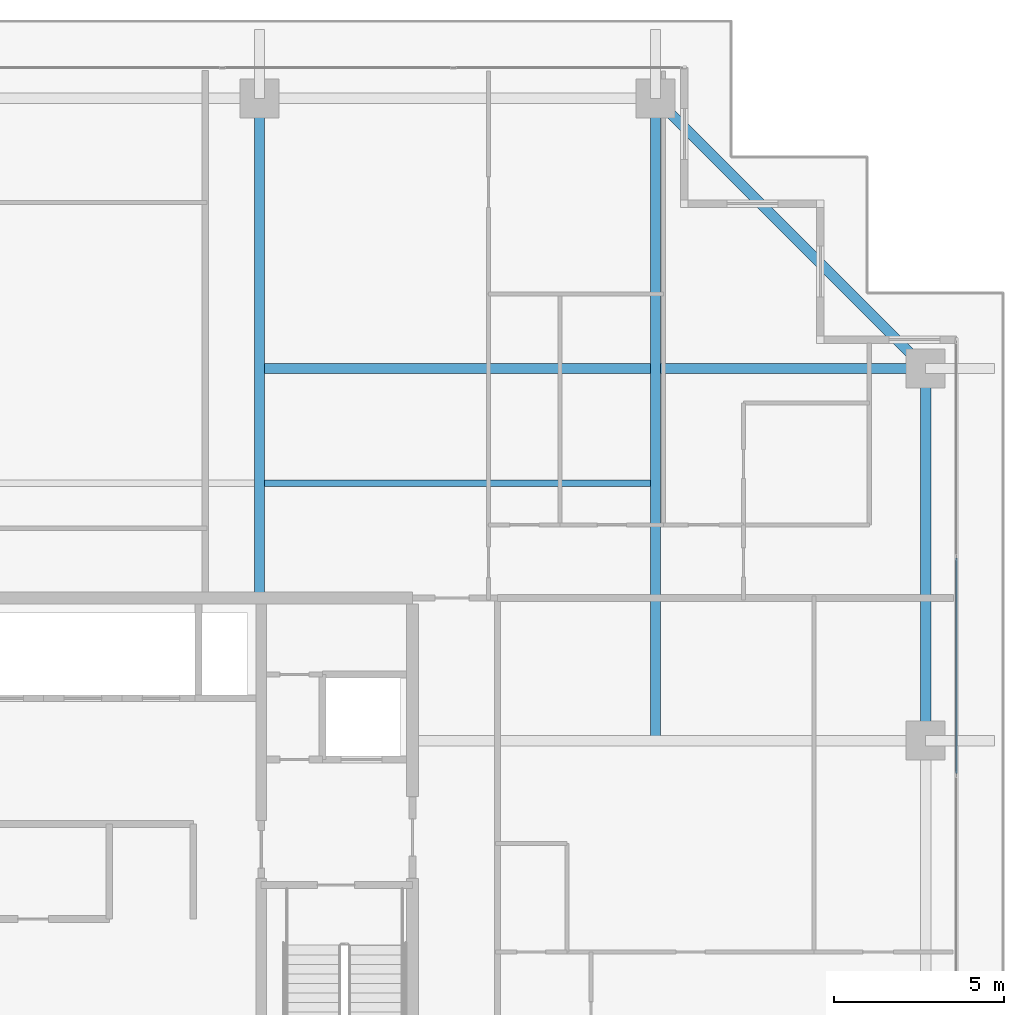
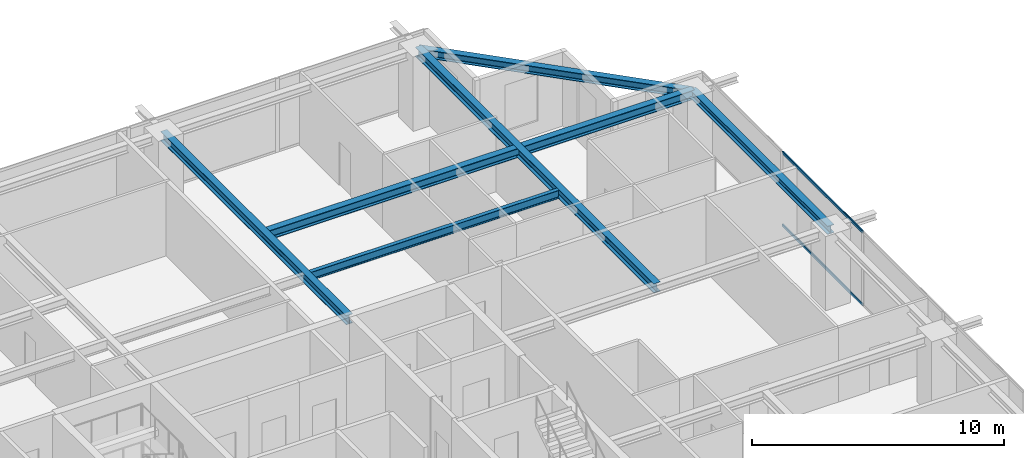
# One storey, part 20 of 35: 6 beams, 2 members, 1 element without a shape of its own.
"""IFC4 building model written with IfcOpenShell, lengths in metres."""

import ifcopenshell
import ifcopenshell.guid

model = None  # the IFC model being written
_history = None  # IfcOwnerHistory: only IFC2X3 demands one
_inside = {}  # id of a spatial element -> (the spatial element, [elements in it])
_under = {}  # id of a project, library or spatial element -> (it, [spatial elements below it])
_declared = {}  # id of a project -> (the project, [libraries it declares])
_typed = {}  # id of a type object -> (the type object, [elements of that type])
_made_of = {}  # id of a material, layer set ... -> (it, [elements and type objects made of it])


def new_model(schema):
    """Start an empty IFC model of exactly this schema.

    Asked for "IFC4X3", IfcOpenShell would pick the latest addendum, in which some entities
    have other attributes; the version numbers below select the first issue.
    IFC2X3 requires an IfcOwnerHistory on every rooted entity: one is made here for all.
    """
    global model, _history
    if schema == "IFC4X3":
        model = ifcopenshell.file(schema_version=(4, 3, 0, 0))
    else:
        model = ifcopenshell.file(schema=schema)
    _inside.clear()
    _under.clear()
    _declared.clear()
    _typed.clear()
    _made_of.clear()
    _history = None
    if model.schema == "IFC2X3":
        org = make("IfcOrganization", Name="unknown")
        user = make(
            "IfcPersonAndOrganization",
            ThePerson=make("IfcPerson", FamilyName="unknown"),
            TheOrganization=org,
        )
        app = make(
            "IfcApplication",
            ApplicationDeveloper=org,
            Version="unknown",
            ApplicationFullName="unknown",
            ApplicationIdentifier="unknown",
        )
        _history = make(
            "IfcOwnerHistory",
            OwningUser=user,
            OwningApplication=app,
            ChangeAction="ADDED",
            CreationDate=0,
        )
    return model


def make(cls, **values):
    """One entity of the class cls with the attributes given. An attribute that is None is left unset."""
    return model.create_entity(
        cls, **{name: value for name, value in values.items() if value is not None}
    )


def rooted(cls, **values):
    """An entity with a GlobalId (a new one), such as an element, a storey or a relation."""
    return make(cls, GlobalId=ifcopenshell.guid.new(), OwnerHistory=_history, **values)


def si_unit(unit_type, name, prefix=None):
    """IfcSIUnit, for example si_unit("LENGTHUNIT", "METRE", prefix="MILLI")."""
    return make("IfcSIUnit", UnitType=unit_type, Prefix=prefix, Name=name)


def assignment(units):
    """IfcUnitAssignment: the units of a project."""
    return None if units is None else make("IfcUnitAssignment", Units=units)


def point(xyz):
    """IfcCartesianPoint."""
    return None if xyz is None else make("IfcCartesianPoint", Coordinates=xyz)


def direction(xyz):
    """IfcDirection."""
    return None if xyz is None else make("IfcDirection", DirectionRatios=xyz)


def frame(location, z_axis=None, x_axis=None):
    """IfcAxis2Placement3D, a coordinate frame: its origin and axes. An axis left out is left unset."""
    return make(
        "IfcAxis2Placement3D",
        Location=point(location),
        Axis=direction(z_axis),
        RefDirection=direction(x_axis),
    )


def frame_2d(location, x_axis=None):
    """IfcAxis2Placement2D, a coordinate frame in the plane: its origin and x axis."""
    return make(
        "IfcAxis2Placement2D", Location=point(location), RefDirection=direction(x_axis)
    )


def origin():
    """The frame at (0, 0, 0) with its axes left unset."""
    return frame((0.0, 0.0, 0.0))


def origin_2d():
    """The frame at (0, 0) in the plane with its x axis left unset."""
    return frame_2d((0.0, 0.0))


def place(relative_to, where):
    """IfcLocalPlacement: puts the frame where relative to a parent placement (None: the world)."""
    return make(
        "IfcLocalPlacement", PlacementRelTo=relative_to, RelativePlacement=where
    )


def context(
    kind, dimensions, precision=None, world=None, true_north=None, identifier=None
):
    """IfcGeometricRepresentationContext, for example the 3D "Model" context."""
    return make(
        "IfcGeometricRepresentationContext",
        ContextIdentifier=identifier,
        ContextType=kind,
        CoordinateSpaceDimension=dimensions,
        Precision=precision,
        WorldCoordinateSystem=world,
        TrueNorth=true_north,
    )


def subcontext(parent, identifier, kind, view, scale=None):
    """IfcGeometricRepresentationSubContext, for example "Body" below "Model"."""
    return make(
        "IfcGeometricRepresentationSubContext",
        ContextIdentifier=identifier,
        ContextType=kind,
        ParentContext=parent,
        TargetScale=scale,
        TargetView=view,
    )


def project(units=None, contexts=None):
    """IfcProject with its units and contexts."""
    return rooted(
        "IfcProject",
        Name="project",
        RepresentationContexts=contexts,
        UnitsInContext=assignment(units),
    )


def spatial(cls, under=None, at=None, **own):
    """A site, building, storey or space (cls), placed at a placement, below another one or the project."""
    s = rooted(cls, ObjectPlacement=at, **own)
    if under is not None:
        _under.setdefault(under.id(), (under, []))[1].append(s)
    return s


def profile(cls, at=None, kind="AREA", **sizes):
    """A parametric profile (cls). Its sizes go by their IFC names, for example OverallWidth=200.0."""
    return make(cls, ProfileType=kind, Position=at, **sizes)


def hollow_rectangle(**sizes):
    """IfcRectangleHollowProfileDef."""
    return profile("IfcRectangleHollowProfileDef", **sizes)


def i_section(**sizes):
    """IfcIShapeProfileDef."""
    return profile("IfcIShapeProfileDef", **sizes)


def extrude(swept, where, along, depth):
    """IfcExtrudedAreaSolid: the profile swept, set in the frame where, extruded along a direction by depth."""
    return make(
        "IfcExtrudedAreaSolid",
        SweptArea=swept,
        Position=where,
        ExtrudedDirection=direction(along),
        Depth=depth,
    )


def shape(context_of_items, identifier, shape_type, items):
    """IfcShapeRepresentation: the items that make up one representation, for example the "Body"."""
    return make(
        "IfcShapeRepresentation",
        ContextOfItems=context_of_items,
        RepresentationIdentifier=identifier,
        RepresentationType=shape_type,
        Items=items,
    )


def source(mapping_origin, context_of_items, identifier, shape_type, items):
    """IfcRepresentationMap: a shape defined once, which mapped items show again and again."""
    return make(
        "IfcRepresentationMap",
        MappingOrigin=mapping_origin,
        MappedRepresentation=shape(context_of_items, identifier, shape_type, items),
    )


def transform(
    local_origin,
    x_axis=None,
    y_axis=None,
    z_axis=None,
    scale=None,
    scale2=None,
    scale3=None,
    uniform=True,
):
    """IfcCartesianTransformationOperator3D, or its non-uniform kind. x_axis, y_axis, z_axis: its Axis1, 2, 3."""
    if uniform:
        return make(
            "IfcCartesianTransformationOperator3D",
            Axis1=direction(x_axis),
            Axis2=direction(y_axis),
            LocalOrigin=point(local_origin),
            Scale=scale,
            Axis3=direction(z_axis),
        )
    return make(
        "IfcCartesianTransformationOperator3DnonUniform",
        Axis1=direction(x_axis),
        Axis2=direction(y_axis),
        LocalOrigin=point(local_origin),
        Scale=scale,
        Axis3=direction(z_axis),
        Scale2=scale2,
        Scale3=scale3,
    )


def mapped(mapping_source, mapping_target):
    """IfcMappedItem: shows the shape of a source again, moved by a transform."""
    return make(
        "IfcMappedItem", MappingSource=mapping_source, MappingTarget=mapping_target
    )


def material(Name=None, Category=None):
    """IfcMaterial."""
    return make("IfcMaterial", Name=Name, Category=Category)


def layer(
    of_material, thickness, ventilated=None, Name=None, Category=None, Priority=None
):
    """IfcMaterialLayer: one layer of a wall or slab, of a material (None: an air gap)."""
    return make(
        "IfcMaterialLayer",
        Material=of_material,
        LayerThickness=thickness,
        IsVentilated=ventilated,
        Name=Name,
        Category=Category,
        Priority=Priority,
    )


def layer_set(layers, Name=None):
    """IfcMaterialLayerSet."""
    return make("IfcMaterialLayerSet", MaterialLayers=layers, LayerSetName=Name)


def material_profile(
    of_material, cross_section, Name=None, Category=None, Priority=None
):
    """IfcMaterialProfile: a cross section and its material."""
    return make(
        "IfcMaterialProfile",
        Name=Name,
        Material=of_material,
        Profile=cross_section,
        Priority=Priority,
        Category=Category,
    )


def profile_set(profiles, Name=None, composite=None):
    """IfcMaterialProfileSet."""
    return make(
        "IfcMaterialProfileSet",
        Name=Name,
        MaterialProfiles=profiles,
        CompositeProfile=composite,
    )


def made_of(thing, what):
    """Note that an element or type object is made of a material, layer set ...; save() writes the relation."""
    if what is not None:
        _made_of.setdefault(what.id(), (what, []))[1].append(thing)
    return thing


def type_object(cls, material=None, **own):
    """A type object (cls), such as IfcWallType, which elements share."""
    return made_of(rooted(cls, **own), material)


def element(
    cls,
    number,
    at=None,
    inside=None,
    cuts=None,
    type_object=None,
    material=None,
    context=None,
    identifier="Body",
    shape_type=None,
    held_by="IfcProductDefinitionShape",
    body=None,
    shapes=None,
    **own,
):
    """One element of the class cls, such as IfcWall. Its Tag is "e" and its number.

    at: its placement. inside: the storey or other place that contains it. cuts: it is an
    opening in that element (IfcRelVoidsElement). A single representation is given by context,
    identifier, shape_type and body (its items); several are given by shapes. held_by: the class
    of the entity that holds the representations. save() writes the other relations.
    """
    e = rooted(cls, Tag="e%d" % number, ObjectPlacement=at, **own)
    if body is not None:
        shapes = [shape(context, identifier, shape_type, body)]
    if shapes is not None:
        e.Representation = make(held_by, Representations=shapes)
    if inside is not None:
        _inside.setdefault(inside.id(), (inside, []))[1].append(e)
    if cuts is not None:
        rooted(
            "IfcRelVoidsElement", RelatingBuildingElement=cuts, RelatedOpeningElement=e
        )
    if type_object is not None:
        _typed.setdefault(type_object.id(), (type_object, []))[1].append(e)
    return made_of(e, material)


def aggregate(whole, parts):
    """IfcRelAggregates: a whole, such as a stair, and the parts it consists of."""
    return rooted("IfcRelAggregates", RelatingObject=whole, RelatedObjects=parts)


def save(model, path):
    """Write the relations noted so far, then the file.

    IfcRelAggregates (storeys below a building ...), IfcRelContainedInSpatialStructure (elements
    in a storey), IfcRelDefinesByType, IfcRelAssociatesMaterial and IfcRelDeclares: one each for
    every whole, place, type object, material and project.
    """
    for whole, parts in _under.values():
        aggregate(whole, parts)
    for where, things in _inside.values():
        rooted(
            "IfcRelContainedInSpatialStructure",
            RelatedElements=things,
            RelatingStructure=where,
        )
    for kind, things in _typed.values():
        rooted("IfcRelDefinesByType", RelatedObjects=things, RelatingType=kind)
    for what, things in _made_of.values():
        rooted("IfcRelAssociatesMaterial", RelatedObjects=things, RelatingMaterial=what)
    for by, libraries in _declared.values():
        rooted("IfcRelDeclares", RelatingContext=by, RelatedDefinitions=libraries)
    model.write(path)


model = new_model("IFC4")

# Units and contexts
model_context = context("Model", 3, precision=1e-05, world=origin(), true_north=direction((0.0, 1.0)))
body_context = subcontext(model_context, "Body", "Model", "MODEL_VIEW")
ifc_project = project(units=[si_unit("LENGTHUNIT", "METRE"), si_unit("AREAUNIT", "SQUARE_METRE"), si_unit("VOLUMEUNIT", "CUBIC_METRE"), si_unit("PLANEANGLEUNIT", "RADIAN"), si_unit("MASSUNIT", "GRAM", prefix="KILO")], contexts=[model_context])

# Site, building, storey
site_placement = place(None, origin())
site = spatial("IfcSite", under=ifc_project, at=site_placement, CompositionType="ELEMENT")
building_placement = place(site_placement, origin())
building = spatial("IfcBuilding", under=site, at=building_placement, Name="Serunith Strait Residences", CompositionType="ELEMENT")
storey_placement = place(building_placement, frame((0.0, 0.0, 214.300048828125)))
storey = spatial("IfcBuildingStorey", under=building, at=storey_placement, Name="L53", CompositionType="ELEMENT", Elevation=214.300048828125)

# Beams
ifc_material_1 = material(Name="Steel S355J2", Category="steel")
ifc_material_profile_1 = material_profile(ifc_material_1, i_section(OverallWidth=0.300048828125, OverallDepth=0.449951171875, WebThickness=0.013916015625, FlangeThickness=0.02587890625, FilletRadius=0.027099609375, at=origin_2d()), Name="HEB 450")
ifc_profile_set_1 = profile_set([ifc_material_profile_1], Name="Steel S355J2")
beam_type_1 = type_object("IfcBeamType", Name="BM-HEB450", PredefinedType="BEAM", material=ifc_profile_set_1)
shared_shape_1 = source(origin(), body_context, "Body", "SweptSolid", [
    extrude(i_section(OverallWidth=0.300048828125, OverallDepth=0.449951171875, WebThickness=0.013916015625, FlangeThickness=0.02587890625, FilletRadius=0.027099609375, at=origin_2d()), origin(), (0.0, 0.0, 1.0), 14.699951171875),
])
beam_1_placement = place(storey_placement, frame((36.89990234375, 33.60009765625, 3.362060546875), z_axis=(0.0, 1.0, 0.0), x_axis=(-1.0, 0.0, 0.0)))
element("IfcBeam", 1, at=beam_1_placement, inside=storey, type_object=beam_type_1, Name="L53 Primary Floor Girder TC-N3", PredefinedType="BEAM", context=body_context, shape_type="MappedRepresentation", body=[
    mapped(shared_shape_1, transform((0.0, 0.0, 0.0), scale=1.0)),
])
shared_shape_2 = source(origin(), body_context, "Body", "SweptSolid", [
    extrude(i_section(OverallWidth=0.300048828125, OverallDepth=0.449951171875, WebThickness=0.013916015625, FlangeThickness=0.02587890625, FilletRadius=0.027099609375, at=origin_2d()), origin(), (0.0, 0.0, 1.0), 18.900146484375),
])
beam_2_placement = place(storey_placement, frame((48.550048828125, 29.39990234375, 3.362060546875), z_axis=(0.0, 1.0, 0.0), x_axis=(-1.0, 0.0, 0.0)))
element("IfcBeam", 2, at=beam_2_placement, inside=storey, type_object=beam_type_1, Name="L53 Orthogonal Corner Girder TC-N4", PredefinedType="BEAM", context=body_context, shape_type="MappedRepresentation", body=[
    mapped(shared_shape_2, transform((0.0, 0.0, 0.0), scale=1.0)),
])
shared_shape_3 = source(origin(), body_context, "Body", "SweptSolid", [
    extrude(i_section(OverallWidth=0.300048828125, OverallDepth=0.449951171875, WebThickness=0.013916015625, FlangeThickness=0.02587890625, FilletRadius=0.027099609375, at=origin_2d()), origin(), (0.0, 0.0, 1.0), 19.60009765625),
])
beam_3_placement = place(storey_placement, frame((36.89990234375, 40.35009765625, 3.362060546875), z_axis=(1.0, 0.0, 0.0), x_axis=(0.0, 1.0, 0.0)))
element("IfcBeam", 3, at=beam_3_placement, inside=storey, type_object=beam_type_1, Name="L53 Orthogonal Corner Girder TC-E4", PredefinedType="BEAM", context=body_context, shape_type="MappedRepresentation", body=[
    mapped(shared_shape_3, transform((0.0, 0.0, 0.0), scale=1.0)),
])
ifc_material_profile_2 = material_profile(ifc_material_1, i_section(OverallWidth=0.300048828125, OverallDepth=0.39990234375, WebThickness=0.013427734375, FlangeThickness=0.02392578125, FilletRadius=0.027099609375, at=origin_2d()), Name="HEB 400")
ifc_profile_set_2 = profile_set([ifc_material_profile_2], Name="Steel S355J2")
beam_type_2 = type_object("IfcBeamType", Name="BM-HEB400", PredefinedType="BEAM", material=ifc_profile_set_2)
shared_shape_4 = source(origin(), body_context, "Body", "SweptSolid", [
    extrude(i_section(OverallWidth=0.300048828125, OverallDepth=0.39990234375, WebThickness=0.013427734375, FlangeThickness=0.02392578125, FilletRadius=0.027099609375, at=origin_2d()), origin(), (0.0, 0.0, 1.0), 11.242919921875),
])
beam_4_placement = place(storey_placement, frame((56.5, 40.35009765625, 3.35693359375), z_axis=(-0.707106781187, 0.707106781187, 0.0), x_axis=(-0.707106781187, -0.707106781187, 0.0)))
element("IfcBeam", 4, at=beam_4_placement, inside=storey, type_object=beam_type_2, Name="L53 Perimeter Ring Beam 08", PredefinedType="BEAM", context=body_context, shape_type="MappedRepresentation", body=[
    mapped(shared_shape_4, transform((0.0, 0.0, 0.0), scale=1.0)),
])
shared_shape_5 = source(origin(), body_context, "Body", "SweptSolid", [
    extrude(i_section(OverallWidth=0.300048828125, OverallDepth=0.39990234375, WebThickness=0.013427734375, FlangeThickness=0.02392578125, FilletRadius=0.027099609375, at=origin_2d()), origin(), (0.0, 0.0, 1.0), 10.9501953125),
])
beam_5_placement = place(storey_placement, frame((56.5, 29.39990234375, 3.386962890625), z_axis=(0.0, 1.0, 0.0), x_axis=(-1.0, 0.0, 0.0)))
element("IfcBeam", 5, at=beam_5_placement, inside=storey, type_object=beam_type_2, Name="L53 Perimeter Ring Beam 07", PredefinedType="BEAM", context=body_context, shape_type="MappedRepresentation", body=[
    mapped(shared_shape_5, transform((0.0, 0.0, 0.0), scale=1.0)),
])
ifc_material_profile_3 = material_profile(ifc_material_1, i_section(OverallWidth=0.179931640625, OverallDepth=0.39990234375, WebThickness=0.008544921875, FlangeThickness=0.013427734375, FilletRadius=0.02099609375, at=origin_2d()), Name="IPE 400")
ifc_profile_set_3 = profile_set([ifc_material_profile_3], Name="Steel S355J2")
beam_type_3 = type_object("IfcBeamType", Name="BM-IPE400", PredefinedType="JOIST", material=ifc_profile_set_3)
shared_shape_6 = source(origin(), body_context, "Body", "SweptSolid", [
    extrude(i_section(OverallWidth=0.179931640625, OverallDepth=0.39990234375, WebThickness=0.008544921875, FlangeThickness=0.013427734375, FilletRadius=0.02099609375, at=origin_2d()), origin(), (0.0, 0.0, 1.0), 11.349853515625),
])
beam_6_placement = place(storey_placement, frame((37.050048828125, 36.97509765625, 3.386962890625), z_axis=(1.0, 0.0, 0.0), x_axis=(0.0, 1.0, 0.0)))
element("IfcBeam", 6, at=beam_6_placement, inside=storey, type_object=beam_type_3, Name="L53 Composite Floor Joist 06", PredefinedType="JOIST", context=body_context, shape_type="MappedRepresentation", body=[
    mapped(shared_shape_6, transform((0.0, 0.0, 0.0), scale=1.0)),
])

# Curtain wall, members
ifc_material_2 = material(Name="Pale-Champagne Anodised Aluminium", Category="aluminium")
ifc_layer = layer(ifc_material_2, 0.199951171875, Name="Pale-Champagne Anodised Aluminium")
ifc_layer_set = layer_set([ifc_layer], Name="Pale-Champagne Anodised Aluminium")
curtain_wall_type = type_object("IfcCurtainWallType", Name="CW-SYS4", PredefinedType="NOTDEFINED", material=ifc_layer_set)
curtain_wall_placement = place(storey_placement, origin())
curtain_wall = element("IfcCurtainWall", 7, at=curtain_wall_placement, inside=storey, type_object=curtain_wall_type, Name="L53 E Unitised Fritted Curtain Wall", PredefinedType="NOTDEFINED")
ifc_material_profile_4 = material_profile(ifc_material_2, hollow_rectangle(XDim=0.06005859375, YDim=0.139892578125, WallThickness=0.00341796875, InnerFilletRadius=0.00537109375, OuterFilletRadius=0.0087890625, at=origin_2d()), Name="ALU 140x60x3.5")
ifc_profile_set_4 = profile_set([ifc_material_profile_4], Name="Pale-Champagne Anodised Aluminium")
member_type = type_object("IfcMemberType", Name="CW-SYS4-TRAN", PredefinedType="USERDEFINED", material=ifc_profile_set_4)
shared_shape_7 = source(origin(), body_context, "Body", "SweptSolid", [
    extrude(hollow_rectangle(XDim=0.06005859375, YDim=0.139892578125, WallThickness=0.00341796875, InnerFilletRadius=0.00537109375, OuterFilletRadius=0.0087890625, at=origin_2d()), origin(), (0.0, 0.0, 1.0), 6.3349609375),
])
member_1_placement = place(storey_placement, frame((57.39990234375, 28.4326171875, 0.030029296875), z_axis=(0.0, 1.0, 0.0), x_axis=(-1.0, 0.0, 0.0)))
member_1 = element("IfcMember", 8, at=member_1_placement, type_object=member_type, Name="CW-4 transom 4.1", ObjectType="TRANSOM", PredefinedType="USERDEFINED", context=body_context, shape_type="MappedRepresentation", body=[
    mapped(shared_shape_7, transform((0.0, 0.0, 0.0), scale=1.0)),
])
member_2_placement = place(storey_placement, frame((57.39990234375, 28.4326171875, 3.544921875), z_axis=(0.0, 1.0, 0.0), x_axis=(-1.0, 0.0, 0.0)))
member_2 = element("IfcMember", 9, at=member_2_placement, type_object=member_type, Name="CW-4 transom 4.2", ObjectType="TRANSOM", PredefinedType="USERDEFINED", context=body_context, shape_type="MappedRepresentation", body=[
    mapped(shared_shape_7, transform((0.0, 0.0, 0.0), scale=1.0)),
])
aggregate(curtain_wall, [member_1, member_2])

save(model, "model.ifc")
